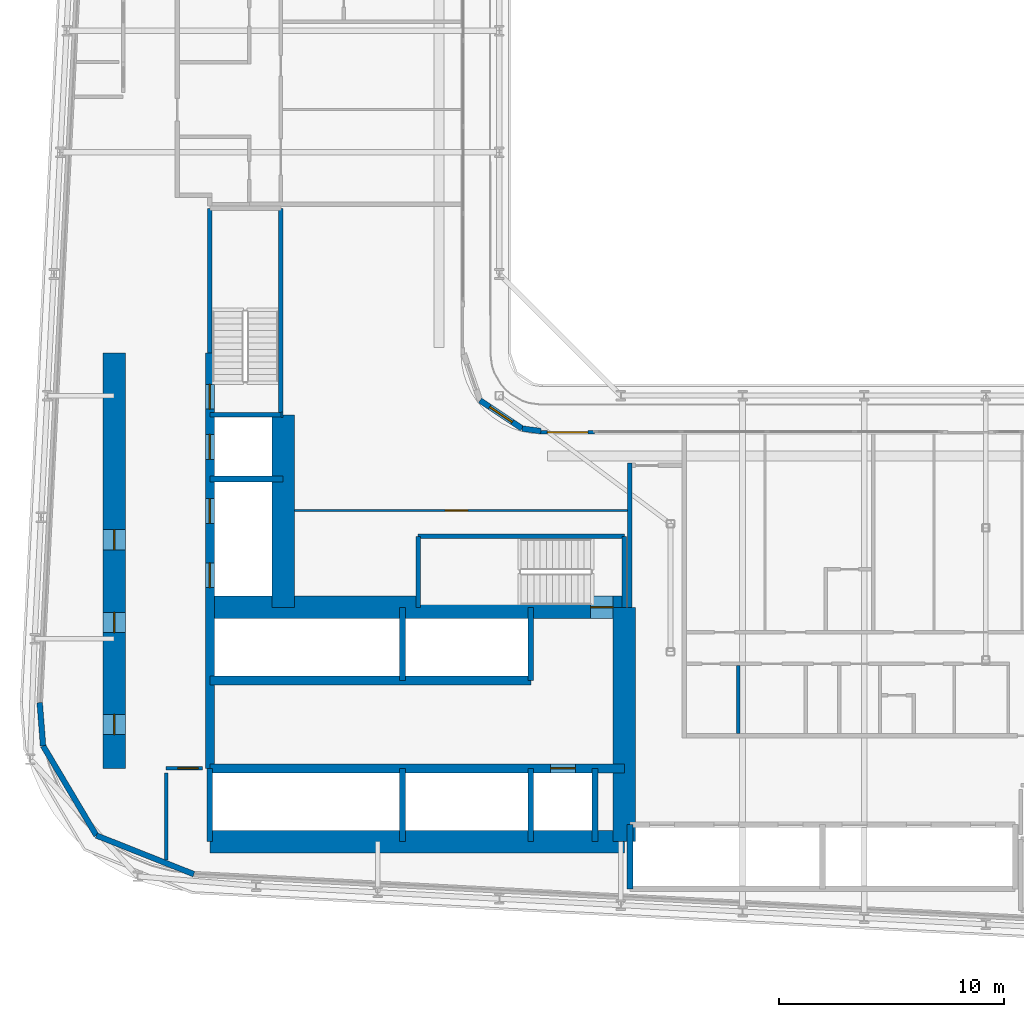
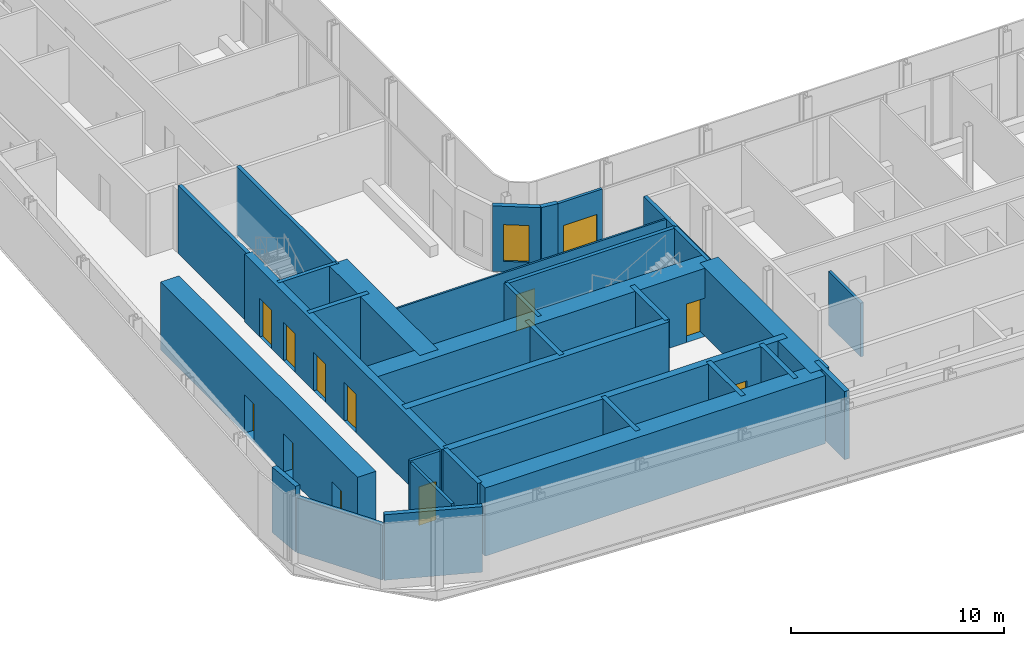
# One storey, part 14 of 29: 34 walls, 12 doors, 1 window, 13 openings.
"""IFC4 building model written with IfcOpenShell, lengths in metres."""

import ifcopenshell
import ifcopenshell.guid

model = None  # the IFC model being written
_history = None  # IfcOwnerHistory: only IFC2X3 demands one
_inside = {}  # id of a spatial element -> (the spatial element, [elements in it])
_under = {}  # id of a project, library or spatial element -> (it, [spatial elements below it])
_declared = {}  # id of a project -> (the project, [libraries it declares])
_typed = {}  # id of a type object -> (the type object, [elements of that type])
_made_of = {}  # id of a material, layer set ... -> (it, [elements and type objects made of it])


def new_model(schema):
    """Start an empty IFC model of exactly this schema.

    Asked for "IFC4X3", IfcOpenShell would pick the latest addendum, in which some entities
    have other attributes; the version numbers below select the first issue.
    IFC2X3 requires an IfcOwnerHistory on every rooted entity: one is made here for all.
    """
    global model, _history
    if schema == "IFC4X3":
        model = ifcopenshell.file(schema_version=(4, 3, 0, 0))
    else:
        model = ifcopenshell.file(schema=schema)
    _inside.clear()
    _under.clear()
    _declared.clear()
    _typed.clear()
    _made_of.clear()
    _history = None
    if model.schema == "IFC2X3":
        org = make("IfcOrganization", Name="unknown")
        user = make(
            "IfcPersonAndOrganization",
            ThePerson=make("IfcPerson", FamilyName="unknown"),
            TheOrganization=org,
        )
        app = make(
            "IfcApplication",
            ApplicationDeveloper=org,
            Version="unknown",
            ApplicationFullName="unknown",
            ApplicationIdentifier="unknown",
        )
        _history = make(
            "IfcOwnerHistory",
            OwningUser=user,
            OwningApplication=app,
            ChangeAction="ADDED",
            CreationDate=0,
        )
    return model


def make(cls, **values):
    """One entity of the class cls with the attributes given. An attribute that is None is left unset."""
    return model.create_entity(
        cls, **{name: value for name, value in values.items() if value is not None}
    )


def rooted(cls, **values):
    """An entity with a GlobalId (a new one), such as an element, a storey or a relation."""
    return make(cls, GlobalId=ifcopenshell.guid.new(), OwnerHistory=_history, **values)


def si_unit(unit_type, name, prefix=None):
    """IfcSIUnit, for example si_unit("LENGTHUNIT", "METRE", prefix="MILLI")."""
    return make("IfcSIUnit", UnitType=unit_type, Prefix=prefix, Name=name)


def assignment(units):
    """IfcUnitAssignment: the units of a project."""
    return None if units is None else make("IfcUnitAssignment", Units=units)


def point(xyz):
    """IfcCartesianPoint."""
    return None if xyz is None else make("IfcCartesianPoint", Coordinates=xyz)


def direction(xyz):
    """IfcDirection."""
    return None if xyz is None else make("IfcDirection", DirectionRatios=xyz)


def frame(location, z_axis=None, x_axis=None):
    """IfcAxis2Placement3D, a coordinate frame: its origin and axes. An axis left out is left unset."""
    return make(
        "IfcAxis2Placement3D",
        Location=point(location),
        Axis=direction(z_axis),
        RefDirection=direction(x_axis),
    )


def frame_2d(location, x_axis=None):
    """IfcAxis2Placement2D, a coordinate frame in the plane: its origin and x axis."""
    return make(
        "IfcAxis2Placement2D", Location=point(location), RefDirection=direction(x_axis)
    )


def origin():
    """The frame at (0, 0, 0) with its axes left unset."""
    return frame((0.0, 0.0, 0.0))


def place(relative_to, where):
    """IfcLocalPlacement: puts the frame where relative to a parent placement (None: the world)."""
    return make(
        "IfcLocalPlacement", PlacementRelTo=relative_to, RelativePlacement=where
    )


def context(
    kind, dimensions, precision=None, world=None, true_north=None, identifier=None
):
    """IfcGeometricRepresentationContext, for example the 3D "Model" context."""
    return make(
        "IfcGeometricRepresentationContext",
        ContextIdentifier=identifier,
        ContextType=kind,
        CoordinateSpaceDimension=dimensions,
        Precision=precision,
        WorldCoordinateSystem=world,
        TrueNorth=true_north,
    )


def subcontext(parent, identifier, kind, view, scale=None):
    """IfcGeometricRepresentationSubContext, for example "Body" below "Model"."""
    return make(
        "IfcGeometricRepresentationSubContext",
        ContextIdentifier=identifier,
        ContextType=kind,
        ParentContext=parent,
        TargetScale=scale,
        TargetView=view,
    )


def project(units=None, contexts=None):
    """IfcProject with its units and contexts."""
    return rooted(
        "IfcProject",
        Name="project",
        RepresentationContexts=contexts,
        UnitsInContext=assignment(units),
    )


def spatial(cls, under=None, at=None, **own):
    """A site, building, storey or space (cls), placed at a placement, below another one or the project."""
    s = rooted(cls, ObjectPlacement=at, **own)
    if under is not None:
        _under.setdefault(under.id(), (under, []))[1].append(s)
    return s


def profile(cls, at=None, kind="AREA", **sizes):
    """A parametric profile (cls). Its sizes go by their IFC names, for example OverallWidth=200.0."""
    return make(cls, ProfileType=kind, Position=at, **sizes)


def rectangle(**sizes):
    """IfcRectangleProfileDef."""
    return profile("IfcRectangleProfileDef", **sizes)


def extrude(swept, where, along, depth):
    """IfcExtrudedAreaSolid: the profile swept, set in the frame where, extruded along a direction by depth."""
    return make(
        "IfcExtrudedAreaSolid",
        SweptArea=swept,
        Position=where,
        ExtrudedDirection=direction(along),
        Depth=depth,
    )


def shape(context_of_items, identifier, shape_type, items):
    """IfcShapeRepresentation: the items that make up one representation, for example the "Body"."""
    return make(
        "IfcShapeRepresentation",
        ContextOfItems=context_of_items,
        RepresentationIdentifier=identifier,
        RepresentationType=shape_type,
        Items=items,
    )


def source(mapping_origin, context_of_items, identifier, shape_type, items):
    """IfcRepresentationMap: a shape defined once, which mapped items show again and again."""
    return make(
        "IfcRepresentationMap",
        MappingOrigin=mapping_origin,
        MappedRepresentation=shape(context_of_items, identifier, shape_type, items),
    )


def transform(
    local_origin,
    x_axis=None,
    y_axis=None,
    z_axis=None,
    scale=None,
    scale2=None,
    scale3=None,
    uniform=True,
):
    """IfcCartesianTransformationOperator3D, or its non-uniform kind. x_axis, y_axis, z_axis: its Axis1, 2, 3."""
    if uniform:
        return make(
            "IfcCartesianTransformationOperator3D",
            Axis1=direction(x_axis),
            Axis2=direction(y_axis),
            LocalOrigin=point(local_origin),
            Scale=scale,
            Axis3=direction(z_axis),
        )
    return make(
        "IfcCartesianTransformationOperator3DnonUniform",
        Axis1=direction(x_axis),
        Axis2=direction(y_axis),
        LocalOrigin=point(local_origin),
        Scale=scale,
        Axis3=direction(z_axis),
        Scale2=scale2,
        Scale3=scale3,
    )


def mapped(mapping_source, mapping_target):
    """IfcMappedItem: shows the shape of a source again, moved by a transform."""
    return make(
        "IfcMappedItem", MappingSource=mapping_source, MappingTarget=mapping_target
    )


def material(Name=None, Category=None):
    """IfcMaterial."""
    return make("IfcMaterial", Name=Name, Category=Category)


def layer(
    of_material, thickness, ventilated=None, Name=None, Category=None, Priority=None
):
    """IfcMaterialLayer: one layer of a wall or slab, of a material (None: an air gap)."""
    return make(
        "IfcMaterialLayer",
        Material=of_material,
        LayerThickness=thickness,
        IsVentilated=ventilated,
        Name=Name,
        Category=Category,
        Priority=Priority,
    )


def layer_set(layers, Name=None):
    """IfcMaterialLayerSet."""
    return make("IfcMaterialLayerSet", MaterialLayers=layers, LayerSetName=Name)


def made_of(thing, what):
    """Note that an element or type object is made of a material, layer set ...; save() writes the relation."""
    if what is not None:
        _made_of.setdefault(what.id(), (what, []))[1].append(thing)
    return thing


def type_object(cls, material=None, **own):
    """A type object (cls), such as IfcWallType, which elements share."""
    return made_of(rooted(cls, **own), material)


def element(
    cls,
    number,
    at=None,
    inside=None,
    cuts=None,
    type_object=None,
    material=None,
    context=None,
    identifier="Body",
    shape_type=None,
    held_by="IfcProductDefinitionShape",
    body=None,
    shapes=None,
    **own,
):
    """One element of the class cls, such as IfcWall. Its Tag is "e" and its number.

    at: its placement. inside: the storey or other place that contains it. cuts: it is an
    opening in that element (IfcRelVoidsElement). A single representation is given by context,
    identifier, shape_type and body (its items); several are given by shapes. held_by: the class
    of the entity that holds the representations. save() writes the other relations.
    """
    e = rooted(cls, Tag="e%d" % number, ObjectPlacement=at, **own)
    if body is not None:
        shapes = [shape(context, identifier, shape_type, body)]
    if shapes is not None:
        e.Representation = make(held_by, Representations=shapes)
    if inside is not None:
        _inside.setdefault(inside.id(), (inside, []))[1].append(e)
    if cuts is not None:
        rooted(
            "IfcRelVoidsElement", RelatingBuildingElement=cuts, RelatedOpeningElement=e
        )
    if type_object is not None:
        _typed.setdefault(type_object.id(), (type_object, []))[1].append(e)
    return made_of(e, material)


def fill(opening, filler):
    """IfcRelFillsElement: the door or window that sits in an opening."""
    return rooted(
        "IfcRelFillsElement",
        RelatingOpeningElement=opening,
        RelatedBuildingElement=filler,
    )


def aggregate(whole, parts):
    """IfcRelAggregates: a whole, such as a stair, and the parts it consists of."""
    return rooted("IfcRelAggregates", RelatingObject=whole, RelatedObjects=parts)


def save(model, path):
    """Write the relations noted so far, then the file.

    IfcRelAggregates (storeys below a building ...), IfcRelContainedInSpatialStructure (elements
    in a storey), IfcRelDefinesByType, IfcRelAssociatesMaterial and IfcRelDeclares: one each for
    every whole, place, type object, material and project.
    """
    for whole, parts in _under.values():
        aggregate(whole, parts)
    for where, things in _inside.values():
        rooted(
            "IfcRelContainedInSpatialStructure",
            RelatedElements=things,
            RelatingStructure=where,
        )
    for kind, things in _typed.values():
        rooted("IfcRelDefinesByType", RelatedObjects=things, RelatingType=kind)
    for what, things in _made_of.values():
        rooted("IfcRelAssociatesMaterial", RelatedObjects=things, RelatingMaterial=what)
    for by, libraries in _declared.values():
        rooted("IfcRelDeclares", RelatingContext=by, RelatedDefinitions=libraries)
    model.write(path)


model = new_model("IFC4")

# Units and contexts
model_context = context("Model", 3, precision=1e-05, world=origin(), true_north=direction((0.0, 1.0)))
body_context = subcontext(model_context, "Body", "Model", "MODEL_VIEW")
ifc_project = project(units=[si_unit("LENGTHUNIT", "METRE"), si_unit("AREAUNIT", "SQUARE_METRE"), si_unit("VOLUMEUNIT", "CUBIC_METRE"), si_unit("PLANEANGLEUNIT", "RADIAN"), si_unit("MASSUNIT", "GRAM", prefix="KILO")], contexts=[model_context])

# Site, building, storey
site_placement = place(None, origin())
site = spatial("IfcSite", under=ifc_project, at=site_placement, CompositionType="ELEMENT")
building_placement = place(site_placement, origin())
building = spatial("IfcBuilding", under=site, at=building_placement, Name="Kheshtan School and Residences Tower", CompositionType="ELEMENT")
storey_placement = place(building_placement, frame((0.0, 0.0, 61.699951171875)))
storey = spatial("IfcBuildingStorey", under=building, at=storey_placement, Name="L14", CompositionType="ELEMENT", Elevation=61.699951171875)

# Wall
ifc_material_1 = material(Name="Concrete C80/95", Category="concrete")
ifc_layer_1 = layer(ifc_material_1, 1.0)
ifc_layer_set_1 = layer_set([ifc_layer_1], Name="Core wall 1000 Concrete C80/95")
wall_type_1 = type_object("IfcWallType", Name="Core wall 1000 Concrete C80/95", PredefinedType="SHEAR", material=ifc_layer_set_1)
wall_1_placement = place(storey_placement, frame((34.75, 25.800048828125, 0.0), z_axis=(0.0, 0.0, 1.0), x_axis=(1.0, 0.0, 0.0)))
element("IfcWall", 1, at=wall_1_placement, inside=storey, type_object=wall_type_1, Name="Core wall CW-REAR-S", PredefinedType="SHEAR", context=body_context, shape_type="SweptSolid", body=[
    extrude(rectangle(XDim=18.39990234375, YDim=1.0, at=frame_2d((9.199951171875, 0.0))), origin(), (0.0, 0.0, 1.0), 3.900146484375),
])

# Wall, opening, door
wall_2_placement = place(storey_placement, frame((34.75, 36.199951171875, 0.0), z_axis=(0.0, 0.0, 1.0), x_axis=(1.0, 0.0, 0.0)))
wall_2 = element("IfcWall", 2, at=wall_2_placement, inside=storey, type_object=wall_type_1, Name="Core wall CW-FRONT-S", PredefinedType="SHEAR", context=body_context, shape_type="SweptSolid", body=[
    extrude(rectangle(XDim=18.39990234375, YDim=1.0, at=frame_2d((9.199951171875, 0.0))), origin(), (0.0, 0.0, 1.0), 3.900146484375),
])
opening_1_placement = place(wall_2_placement, frame((16.89990234375, 0.0, 0.0)))
opening_1 = element("IfcOpeningElement", 3, at=opening_1_placement, cuts=wall_2, Name="Opening ST1D", PredefinedType="OPENING", context=body_context, shape_type="SweptSolid", body=[
    extrude(rectangle(XDim=1.0, YDim=2.199951171875, at=frame_2d((0.5, 1.10009765625))), frame((0.0, 0.510009765625, 0.0), z_axis=(0.0, -1.0, 0.0), x_axis=(1.0, 0.0, 0.0)), (0.0, 0.0, 1.0), 1.02001953125),
])
ifc_material_2 = material(Name="Steel door leaf, galvanised", Category="steel")
door_type_1 = type_object("IfcDoorType", Name="Stair door 1100 steel 90 min", OperationType="SINGLE_SWING_LEFT", PredefinedType="DOOR", material=ifc_material_2)
shared_shape_1 = source(origin(), body_context, "Body", "SweptSolid", [
    extrude(rectangle(XDim=1.0, YDim=2.199951171875, at=frame_2d((0.5, 1.10009765625))), frame((0.0, 0.02490234375, 0.0), z_axis=(0.0, -1.0, 0.0), x_axis=(1.0, 0.0, 0.0)), (0.0, 0.0, 1.0), 0.050048828125),
])
door_1_placement = place(opening_1_placement, origin())
door_1 = element("IfcDoor", 4, at=door_1_placement, inside=storey, type_object=door_type_1, Name="Stair ST1 door", OperationType="SINGLE_SWING_RIGHT", OverallHeight=2.199951171875, OverallWidth=1.0, PredefinedType="DOOR", context=body_context, shape_type="MappedRepresentation", body=[
    mapped(shared_shape_1, transform((0.0, 0.0, 0.0), x_axis=(1.0, 0.0, 0.0), y_axis=(0.0, 1.0, 0.0), z_axis=(0.0, 0.0, 1.0), scale=1.0)),
])
fill(opening_1, door_1)

# Wall
wall_3_placement = place(storey_placement, frame((38.0, 36.199951171875, 0.0), z_axis=(0.0, 0.0, 1.0), x_axis=(0.0, 1.0, 0.0)))
element("IfcWall", 5, at=wall_3_placement, inside=storey, type_object=wall_type_1, Name="Core wall CW-FRONT-W", PredefinedType="SHEAR", context=body_context, shape_type="SweptSolid", body=[
    extrude(rectangle(XDim=8.550048828125, YDim=1.0, at=frame_2d((4.27490234375, 0.0))), origin(), (0.0, 0.0, 1.0), 3.900146484375),
])

# Wall, openings, doors
wall_4_placement = place(storey_placement, frame((30.5, 29.050048828125, 0.0), z_axis=(0.0, 0.0, 1.0), x_axis=(0.0, 1.0, 0.0)))
wall_4 = element("IfcWall", 6, at=wall_4_placement, inside=storey, type_object=wall_type_1, Name="Core wall CW-REAR-W", PredefinedType="SHEAR", context=body_context, shape_type="SweptSolid", body=[
    extrude(rectangle(XDim=18.449951171875, YDim=1.0, at=frame_2d((9.22509765625, 0.0))), origin(), (0.0, 0.0, 1.0), 3.900146484375),
])
opening_2_placement = place(wall_4_placement, frame((1.5, 0.0, 0.0)))
opening_2 = element("IfcOpeningElement", 7, at=opening_2_placement, cuts=wall_4, Name="Opening SR90", PredefinedType="OPENING", context=body_context, shape_type="SweptSolid", body=[
    extrude(rectangle(XDim=0.89990234375, YDim=2.199951171875, at=frame_2d((0.449951171875, 1.10009765625))), frame((0.0, 0.510009765625, 0.0), z_axis=(0.0, -1.0, 0.0), x_axis=(1.0, 0.0, 0.0)), (0.0, 0.0, 1.0), 1.02001953125),
])
opening_3_placement = place(wall_4_placement, frame((6.030029296875, 0.0, 0.0)))
opening_3 = element("IfcOpeningElement", 8, at=opening_3_placement, cuts=wall_4, Name="Opening SR90", PredefinedType="OPENING", context=body_context, shape_type="SweptSolid", body=[
    extrude(rectangle(XDim=0.89990234375, YDim=2.199951171875, at=frame_2d((0.449951171875, 1.10009765625))), frame((0.0, 0.510009765625, 0.0), z_axis=(0.0, -1.0, 0.0), x_axis=(1.0, 0.0, 0.0)), (0.0, 0.0, 1.0), 1.02001953125),
])
opening_4_placement = place(wall_4_placement, frame((9.699951171875, 0.0, 0.0)))
opening_4 = element("IfcOpeningElement", 9, at=opening_4_placement, cuts=wall_4, Name="Opening SR90", PredefinedType="OPENING", context=body_context, shape_type="SweptSolid", body=[
    extrude(rectangle(XDim=0.89990234375, YDim=2.199951171875, at=frame_2d((0.449951171875, 1.10009765625))), frame((0.0, 0.510009765625, 0.0), z_axis=(0.0, -1.0, 0.0), x_axis=(1.0, 0.0, 0.0)), (0.0, 0.0, 1.0), 1.02001953125),
])
door_type_2 = type_object("IfcDoorType", Name="Service room door 900 steel 90 min", OperationType="SINGLE_SWING_LEFT", PredefinedType="DOOR", material=ifc_material_2)
shared_shape_2 = source(origin(), body_context, "Body", "SweptSolid", [
    extrude(rectangle(XDim=0.89990234375, YDim=2.199951171875, at=frame_2d((0.449951171875, 1.10009765625))), frame((0.0, 0.02490234375, 0.0), z_axis=(0.0, -1.0, 0.0), x_axis=(1.0, 0.0, 0.0)), (0.0, 0.0, 1.0), 0.050048828125),
])
door_2_placement = place(opening_2_placement, origin())
door_2 = element("IfcDoor", 10, at=door_2_placement, inside=storey, type_object=door_type_2, Name="Service room door", OperationType="SINGLE_SWING_LEFT", OverallHeight=2.199951171875, OverallWidth=0.89990234375, PredefinedType="DOOR", context=body_context, shape_type="MappedRepresentation", body=[
    mapped(shared_shape_2, transform((0.0, 0.0, 0.0), x_axis=(1.0, 0.0, 0.0), y_axis=(0.0, 1.0, 0.0), z_axis=(0.0, 0.0, 1.0), scale=1.0)),
])
fill(opening_2, door_2)
door_3_placement = place(opening_3_placement, origin())
door_3 = element("IfcDoor", 11, at=door_3_placement, inside=storey, type_object=door_type_2, Name="Service room door", OperationType="SINGLE_SWING_RIGHT", OverallHeight=2.199951171875, OverallWidth=0.89990234375, PredefinedType="DOOR", context=body_context, shape_type="MappedRepresentation", body=[
    mapped(shared_shape_2, transform((0.0, 0.0, 0.0), x_axis=(1.0, 0.0, 0.0), y_axis=(0.0, 1.0, 0.0), z_axis=(0.0, 0.0, 1.0), scale=1.0)),
])
fill(opening_3, door_3)
door_4_placement = place(opening_4_placement, origin())
door_4 = element("IfcDoor", 12, at=door_4_placement, inside=storey, type_object=door_type_2, Name="Service room door", OperationType="SINGLE_SWING_LEFT", OverallHeight=2.199951171875, OverallWidth=0.89990234375, PredefinedType="DOOR", context=body_context, shape_type="MappedRepresentation", body=[
    mapped(shared_shape_2, transform((0.0, 0.0, 0.0), x_axis=(1.0, 0.0, 0.0), y_axis=(0.0, 1.0, 0.0), z_axis=(0.0, 0.0, 1.0), scale=1.0)),
])
fill(opening_4, door_4)

# Wall
wall_5_placement = place(storey_placement, frame((53.14990234375, 25.800048828125, 0.0), z_axis=(0.0, 0.0, 1.0), x_axis=(0.0, 1.0, 0.0)))
element("IfcWall", 13, at=wall_5_placement, inside=storey, type_object=wall_type_1, Name="Core wall CW-EAST", PredefinedType="SHEAR", context=body_context, shape_type="SweptSolid", body=[
    extrude(rectangle(XDim=10.39990234375, YDim=1.0, at=frame_2d((5.199951171875, 0.0))), origin(), (0.0, 0.0, 1.0), 3.900146484375),
])

# Wall, opening, door
ifc_material_3 = material(Name="Concrete C50/60", Category="concrete")
ifc_layer_2 = layer(ifc_material_3, 0.39990234375)
ifc_layer_set_2 = layer_set([ifc_layer_2], Name="Core wall 400 Concrete C50/60")
wall_type_2 = type_object("IfcWallType", Name="Core wall 400 Concrete C50/60", PredefinedType="SHEAR", material=ifc_layer_set_2)
wall_6_placement = place(storey_placement, frame((34.75, 29.050048828125, 0.0), z_axis=(0.0, 0.0, 1.0), x_axis=(1.0, 0.0, 0.0)))
wall_6 = element("IfcWall", 14, at=wall_6_placement, inside=storey, type_object=wall_type_2, Name="Core wall CW-HALL-S1", PredefinedType="SHEAR", context=body_context, shape_type="SweptSolid", body=[
    extrude(rectangle(XDim=18.39990234375, YDim=0.39990234375, at=frame_2d((9.199951171875, 0.0))), origin(), (0.0, 0.0, 1.0), 3.900146484375),
])
opening_5_placement = place(wall_6_placement, frame((15.125, 0.0, 0.0)))
opening_5 = element("IfcOpeningElement", 15, at=opening_5_placement, cuts=wall_6, Name="Opening LD", PredefinedType="OPENING", context=body_context, shape_type="SweptSolid", body=[
    extrude(rectangle(XDim=1.10009765625, YDim=2.199951171875, at=frame_2d((0.550048828125, 1.10009765625))), frame((0.0, 0.2099609375, 0.0), z_axis=(0.0, -1.0, 0.0), x_axis=(1.0, 0.0, 0.0)), (0.0, 0.0, 1.0), 0.419921875),
])
ifc_material_4 = material(Name="Stainless steel door leaves", Category="steel")
door_type_3 = type_object("IfcDoorType", Name="Lift landing door 1100", OperationType="SLIDING_TO_LEFT", PredefinedType="DOOR", material=ifc_material_4)
shared_shape_3 = source(origin(), body_context, "Body", "SweptSolid", [
    extrude(rectangle(XDim=1.10009765625, YDim=2.199951171875, at=frame_2d((0.550048828125, 1.10009765625))), frame((0.0, 0.02490234375, 0.0), z_axis=(0.0, -1.0, 0.0), x_axis=(1.0, 0.0, 0.0)), (0.0, 0.0, 1.0), 0.050048828125),
])
door_5_placement = place(opening_5_placement, origin())
door_5 = element("IfcDoor", 16, at=door_5_placement, inside=storey, type_object=door_type_3, Name="Lift FFL2 landing door", OperationType="SLIDING_TO_LEFT", OverallHeight=2.199951171875, OverallWidth=1.10009765625, PredefinedType="DOOR", context=body_context, shape_type="MappedRepresentation", body=[
    mapped(shared_shape_3, transform((0.0, 0.0, 0.0), x_axis=(1.0, 0.0, 0.0), y_axis=(0.0, 1.0, 0.0), z_axis=(0.0, 0.0, 1.0), scale=1.0)),
])
fill(opening_5, door_5)

# Wall
wall_7_placement = place(storey_placement, frame((34.75, 32.949951171875, 0.0), z_axis=(0.0, 0.0, 1.0), x_axis=(1.0, 0.0, 0.0)))
element("IfcWall", 17, at=wall_7_placement, inside=storey, type_object=wall_type_2, Name="Core wall CW-HALL-S2", PredefinedType="SHEAR", context=body_context, shape_type="SweptSolid", body=[
    extrude(rectangle(XDim=14.25, YDim=0.39990234375, at=frame_2d((7.125, 0.0))), origin(), (0.0, 0.0, 1.0), 3.900146484375),
])

# Wall, openings, doors
wall_8_placement = place(storey_placement, frame((34.75, 29.050048828125, 0.0), z_axis=(0.0, 0.0, 1.0), x_axis=(0.0, 1.0, 0.0)))
wall_8 = element("IfcWall", 18, at=wall_8_placement, inside=storey, type_object=wall_type_2, Name="Core wall CW-HALL-W1", PredefinedType="SHEAR", context=body_context, shape_type="SweptSolid", body=[
    extrude(rectangle(XDim=18.449951171875, YDim=0.39990234375, at=frame_2d((9.22509765625, 0.0))), origin(), (0.0, 0.0, 1.0), 3.900146484375),
])
opening_6_placement = place(wall_8_placement, frame((8.02490234375, 0.0, 0.0)))
opening_6 = element("IfcOpeningElement", 19, at=opening_6_placement, cuts=wall_8, Name="Opening LD", PredefinedType="OPENING", context=body_context, shape_type="SweptSolid", body=[
    extrude(rectangle(XDim=1.10009765625, YDim=2.199951171875, at=frame_2d((0.550048828125, 1.10009765625))), frame((0.0, 0.2099609375, 0.0), z_axis=(0.0, -1.0, 0.0), x_axis=(1.0, 0.0, 0.0)), (0.0, 0.0, 1.0), 0.419921875),
])
opening_7_placement = place(wall_8_placement, frame((10.875, 0.0, 0.0)))
opening_7 = element("IfcOpeningElement", 20, at=opening_7_placement, cuts=wall_8, Name="Opening LD", PredefinedType="OPENING", context=body_context, shape_type="SweptSolid", body=[
    extrude(rectangle(XDim=1.10009765625, YDim=2.199951171875, at=frame_2d((0.550048828125, 1.10009765625))), frame((0.0, 0.2099609375, 0.0), z_axis=(0.0, -1.0, 0.0), x_axis=(1.0, 0.0, 0.0)), (0.0, 0.0, 1.0), 0.419921875),
])
opening_8_placement = place(wall_8_placement, frame((13.72509765625, 0.0, 0.0)))
opening_8 = element("IfcOpeningElement", 21, at=opening_8_placement, cuts=wall_8, Name="Opening LD", PredefinedType="OPENING", context=body_context, shape_type="SweptSolid", body=[
    extrude(rectangle(XDim=1.10009765625, YDim=2.199951171875, at=frame_2d((0.550048828125, 1.10009765625))), frame((0.0, 0.2099609375, 0.0), z_axis=(0.0, -1.0, 0.0), x_axis=(1.0, 0.0, 0.0)), (0.0, 0.0, 1.0), 0.419921875),
])
opening_9_placement = place(wall_8_placement, frame((15.949951171875, 0.0, 0.0)))
opening_9 = element("IfcOpeningElement", 22, at=opening_9_placement, cuts=wall_8, Name="Opening ST2D", PredefinedType="OPENING", context=body_context, shape_type="SweptSolid", body=[
    extrude(rectangle(XDim=1.10009765625, YDim=2.199951171875, at=frame_2d((0.550048828125, 1.10009765625))), frame((0.0, 0.2099609375, 0.0), z_axis=(0.0, -1.0, 0.0), x_axis=(1.0, 0.0, 0.0)), (0.0, 0.0, 1.0), 0.419921875),
])
door_6_placement = place(opening_6_placement, origin())
door_6 = element("IfcDoor", 23, at=door_6_placement, inside=storey, type_object=door_type_3, Name="Lift SV1 landing door", OperationType="SLIDING_TO_LEFT", OverallHeight=2.199951171875, OverallWidth=1.10009765625, PredefinedType="DOOR", context=body_context, shape_type="MappedRepresentation", body=[
    mapped(shared_shape_3, transform((0.0, 0.0, 0.0), x_axis=(1.0, 0.0, 0.0), y_axis=(0.0, 1.0, 0.0), z_axis=(0.0, 0.0, 1.0), scale=1.0)),
])
fill(opening_6, door_6)
door_7_placement = place(opening_7_placement, origin())
door_7 = element("IfcDoor", 24, at=door_7_placement, inside=storey, type_object=door_type_3, Name="Lift SV2 landing door", OperationType="SLIDING_TO_LEFT", OverallHeight=2.199951171875, OverallWidth=1.10009765625, PredefinedType="DOOR", context=body_context, shape_type="MappedRepresentation", body=[
    mapped(shared_shape_3, transform((0.0, 0.0, 0.0), x_axis=(1.0, 0.0, 0.0), y_axis=(0.0, 1.0, 0.0), z_axis=(0.0, 0.0, 1.0), scale=1.0)),
])
fill(opening_7, door_7)
door_8_placement = place(opening_8_placement, origin())
door_8 = element("IfcDoor", 25, at=door_8_placement, inside=storey, type_object=door_type_3, Name="Lift FFL1 landing door", OperationType="SLIDING_TO_LEFT", OverallHeight=2.199951171875, OverallWidth=1.10009765625, PredefinedType="DOOR", context=body_context, shape_type="MappedRepresentation", body=[
    mapped(shared_shape_3, transform((0.0, 0.0, 0.0), x_axis=(1.0, 0.0, 0.0), y_axis=(0.0, 1.0, 0.0), z_axis=(0.0, 0.0, 1.0), scale=1.0)),
])
fill(opening_8, door_8)
shared_shape_4 = source(origin(), body_context, "Body", "SweptSolid", [
    extrude(rectangle(XDim=1.10009765625, YDim=2.199951171875, at=frame_2d((0.550048828125, 1.10009765625))), frame((0.0, 0.02490234375, 0.0), z_axis=(0.0, -1.0, 0.0), x_axis=(1.0, 0.0, 0.0)), (0.0, 0.0, 1.0), 0.050048828125),
])
door_9_placement = place(opening_9_placement, origin())
door_9 = element("IfcDoor", 26, at=door_9_placement, inside=storey, type_object=door_type_1, Name="Stair ST2 door", OperationType="SINGLE_SWING_RIGHT", OverallHeight=2.199951171875, OverallWidth=1.10009765625, PredefinedType="DOOR", context=body_context, shape_type="MappedRepresentation", body=[
    mapped(shared_shape_4, transform((0.0, 0.0, 0.0), x_axis=(1.0, 0.0, 0.0), y_axis=(0.0, 1.0, 0.0), z_axis=(0.0, 0.0, 1.0), scale=1.0)),
])
fill(opening_9, door_9)

# Walls
ifc_material_5 = material(Name="Gypsum board on steel studs with fire boards", Category="steel")
ifc_layer_3 = layer(ifc_material_5, 0.199951171875)
ifc_layer_set_3 = layer_set([ifc_layer_3], Name="Corridor wall 200")
wall_type_3 = type_object("IfcWallType", Name="Corridor wall 200", PredefinedType="PARTITIONING", material=ifc_layer_set_3)
wall_9_placement = place(storey_placement, frame((53.39990234375, 36.198974609375, 0.0), z_axis=(0.0, 0.0, 1.0), x_axis=(0.0, 1.0, 0.0)))
element("IfcWall", 27, at=wall_9_placement, inside=storey, type_object=wall_type_3, Name="Partition L14-038", PredefinedType="PARTITIONING", context=body_context, shape_type="SweptSolid", body=[
    extrude(rectangle(XDim=6.401123046875, YDim=0.199951171875, at=frame_2d((3.20068359375, 0.0))), origin(), (0.0, 0.0, 1.0), 3.60009765625),
])
ifc_material_6 = material(Name="Concrete C40/50 with ceramic cladding and mineral wool insulation", Category="concrete")
ifc_layer_4 = layer(ifc_material_6, 0.25)
ifc_layer_set_4 = layer_set([ifc_layer_4], Name="External wall 250 ceramic clad")
wall_type_4 = type_object("IfcWallType", Name="External wall 250 ceramic clad", PredefinedType="SOLIDWALL", material=ifc_layer_set_4)
wall_10_placement = place(storey_placement, frame((34.0390625, 24.35302734375, 0.0), z_axis=(0.0, 0.0, 1.0), x_axis=(-0.929352825399, 0.369192803184, 0.0)))
element("IfcWall", 28, at=wall_10_placement, inside=storey, type_object=wall_type_4, Name="External wall L14 1", PredefinedType="SOLIDWALL", context=body_context, shape_type="SweptSolid", body=[
    extrude(rectangle(XDim=4.656005859375, YDim=0.25, at=frame_2d((2.328125, 0.0))), origin(), (0.0, 0.0, 1.0), 3.75),
])
wall_11_placement = place(storey_placement, frame((29.7119140625, 26.072021484375, 0.0), z_axis=(0.0, 0.0, 1.0), x_axis=(-0.511028049012, 0.859564036662, 0.0)))
element("IfcWall", 29, at=wall_11_placement, inside=storey, type_object=wall_type_4, Name="External wall L14 2", PredefinedType="SOLIDWALL", context=body_context, shape_type="SweptSolid", body=[
    extrude(rectangle(XDim=4.633544921875, YDim=0.25, at=frame_2d((2.31689453125, 0.0))), origin(), (0.0, 0.0, 1.0), 3.133056640625),
])
wall_12_placement = place(storey_placement, frame((27.343994140625, 30.054931640625, 0.0), z_axis=(0.0, 0.0, 1.0), x_axis=(-0.077571675317, 0.99698677784, 0.0)))
element("IfcWall", 30, at=wall_12_placement, inside=storey, type_object=wall_type_4, Name="External wall L14 3", PredefinedType="SOLIDWALL", context=body_context, shape_type="SweptSolid", body=[
    extrude(rectangle(XDim=1.919921875, YDim=0.25, at=frame_2d((0.9599609375, 0.0))), origin(), (0.0, 0.0, 1.0), 3.75),
])

# Wall, opening, window
wall_13_placement = place(storey_placement, frame((46.742919921875, 45.388916015625, 0.0), z_axis=(0.0, 0.0, 1.0), x_axis=(0.831449265529, -0.555600682912, 0.0)))
wall_13 = element("IfcWall", 31, at=wall_13_placement, inside=storey, type_object=wall_type_4, Name="External wall L14 10", PredefinedType="SOLIDWALL", context=body_context, shape_type="SweptSolid", body=[
    extrude(rectangle(XDim=2.25146484375, YDim=0.25, at=frame_2d((1.125732421875, 0.0))), origin(), (0.0, 0.0, 1.0), 3.75),
])
opening_10_placement = place(wall_13_placement, frame((0.52490234375, 0.0, 0.60009765625)))
opening_10 = element("IfcOpeningElement", 32, at=opening_10_placement, cuts=wall_13, Name="Opening WN-E", PredefinedType="OPENING", context=body_context, shape_type="SweptSolid", body=[
    extrude(rectangle(XDim=1.199951171875, YDim=2.10009765625, at=frame_2d((0.60009765625, 1.050048828125))), frame((0.0, 0.135009765625, 0.0), z_axis=(0.0, -1.0, 0.0), x_axis=(1.0, 0.0, 0.0)), (0.0, 0.0, 1.0), 0.27001953125),
])
ifc_material_7 = material(Name="Clear low-e glass in thermally broken aluminium frame", Category="aluminium")
window_type = type_object("IfcWindowType", Name="Window WN-E", PartitioningType="SINGLE_PANEL", PredefinedType="WINDOW", material=ifc_material_7)
shared_shape_5 = source(origin(), body_context, "Body", "SweptSolid", [
    extrude(rectangle(XDim=1.199951171875, YDim=2.10009765625, at=frame_2d((0.60009765625, 1.050048828125))), frame((0.0, 0.030029296875, 0.0), z_axis=(0.0, -1.0, 0.0), x_axis=(1.0, 0.0, 0.0)), (0.0, 0.0, 1.0), 0.06005859375),
])
window_placement = place(opening_10_placement, origin())
window = element("IfcWindow", 33, at=window_placement, inside=storey, type_object=window_type, Name="Window L14 10", OverallHeight=2.10009765625, OverallWidth=1.199951171875, PartitioningType="SINGLE_PANEL", PredefinedType="WINDOW", context=body_context, shape_type="MappedRepresentation", body=[
    mapped(shared_shape_5, transform((0.0, 0.0, 0.0), x_axis=(1.0, 0.0, 0.0), y_axis=(0.0, 1.0, 0.0), z_axis=(0.0, 0.0, 1.0), scale=1.0)),
])
fill(opening_10, window)

# Wall
wall_14_placement = place(storey_placement, frame((48.614990234375, 44.137939453125, 0.0), z_axis=(0.0, 0.0, 1.0), x_axis=(0.990741504246, -0.135761819977, 0.0)))
element("IfcWall", 34, at=wall_14_placement, inside=storey, type_object=wall_type_4, Name="External wall L14 11", PredefinedType="SOLIDWALL", context=body_context, shape_type="SweptSolid", body=[
    extrude(rectangle(XDim=0.83984375, YDim=0.25, at=frame_2d((0.419921875, 0.0))), origin(), (0.0, 0.0, 1.0), 3.75),
])

# Wall, opening, door
ifc_material_8 = material(Name="Aluminium frame wall with insulated infill", Category="aluminium")
ifc_layer_5 = layer(ifc_material_8, 0.14990234375)
ifc_layer_set_5 = layer_set([ifc_layer_5], Name="Glazing frame wall 150")
wall_type_5 = type_object("IfcWallType", Name="Glazing frame wall 150", PredefinedType="SOLIDWALL", material=ifc_layer_set_5)
wall_15_placement = place(storey_placement, frame((49.429931640625, 43.97509765625, 0.0), z_axis=(0.0, 0.0, 1.0), x_axis=(1.0, 0.0, 0.0)))
wall_15 = element("IfcWall", 35, at=wall_15_placement, inside=storey, type_object=wall_type_5, Name="Balcony door wall L14 12.1", PredefinedType="SOLIDWALL", context=body_context, shape_type="SweptSolid", body=[
    extrude(rectangle(XDim=2.400146484375, YDim=0.14990234375, at=frame_2d((1.2001953125, 0.0))), origin(), (0.0, 0.0, 1.0), 3.75),
])
opening_11_placement = place(wall_15_placement, frame((0.300048828125, 0.0, 0.0)))
opening_11 = element("IfcOpeningElement", 36, at=opening_11_placement, cuts=wall_15, Name="Opening BD", PredefinedType="OPENING", context=body_context, shape_type="SweptSolid", body=[
    extrude(rectangle(XDim=1.800048828125, YDim=2.39990234375, at=frame_2d((0.89990234375, 1.199951171875))), frame((0.0, 0.0849609375, 0.0), z_axis=(0.0, -1.0, 0.0), x_axis=(1.0, 0.0, 0.0)), (0.0, 0.0, 1.0), 0.169921875),
])
door_type_4 = type_object("IfcDoorType", Name="Balcony sliding door", OperationType="SLIDING_TO_LEFT", PredefinedType="DOOR", material=ifc_material_7)
shared_shape_6 = source(origin(), body_context, "Body", "SweptSolid", [
    extrude(rectangle(XDim=1.800048828125, YDim=2.39990234375, at=frame_2d((0.89990234375, 1.199951171875))), frame((0.0, 0.02490234375, 0.0), z_axis=(0.0, -1.0, 0.0), x_axis=(1.0, 0.0, 0.0)), (0.0, 0.0, 1.0), 0.050048828125),
])
door_10_placement = place(opening_11_placement, origin())
door_10 = element("IfcDoor", 37, at=door_10_placement, inside=storey, type_object=door_type_4, Name="Balcony door L14 12.1", OperationType="SLIDING_TO_LEFT", OverallHeight=2.39990234375, OverallWidth=1.800048828125, PredefinedType="DOOR", context=body_context, shape_type="MappedRepresentation", body=[
    mapped(shared_shape_6, transform((0.0, 0.0, 0.0), x_axis=(1.0, 0.0, 0.0), y_axis=(0.0, 1.0, 0.0), z_axis=(0.0, 0.0, 1.0), scale=1.0)),
])
fill(opening_11, door_10)

ifc_material_9 = material(Name="Gypsum board on steel studs", Category="steel")
ifc_layer_6 = layer(ifc_material_9, 0.10009765625)
ifc_layer_set_6 = layer_set([ifc_layer_6], Name="Gypsum partition 100")
wall_type_6 = type_object("IfcWallType", Name="Gypsum partition 100", PredefinedType="PARTITIONING", material=ifc_layer_set_6)
wall_16_placement = place(storey_placement, frame((38.4990234375, 40.5, 0.0), z_axis=(0.0, 0.0, 1.0), x_axis=(1.0, 0.0, 0.0)))
wall_16 = element("IfcWall", 38, at=wall_16_placement, inside=storey, type_object=wall_type_6, Name="Partition L14-036", PredefinedType="PARTITIONING", context=body_context, shape_type="SweptSolid", body=[
    extrude(rectangle(XDim=14.801025390625, YDim=0.10009765625, at=frame_2d((7.400390625, 0.0))), origin(), (0.0, 0.0, 1.0), 3.60009765625),
])
opening_12_placement = place(wall_16_placement, frame((6.700927734375, 0.0, 0.0)))
opening_12 = element("IfcOpeningElement", 39, at=opening_12_placement, cuts=wall_16, Name="Opening D14-057", PredefinedType="OPENING", context=body_context, shape_type="SweptSolid", body=[
    extrude(rectangle(XDim=1.0, YDim=2.10009765625, at=frame_2d((0.5, 1.050048828125))), frame((0.0, 0.06005859375, 0.0), z_axis=(0.0, -1.0, 0.0), x_axis=(1.0, 0.0, 0.0)), (0.0, 0.0, 1.0), 0.1201171875),
])
ifc_material_10 = material(Name="Veneered timber door leaf", Category="wood")
door_type_5 = type_object("IfcDoorType", Name="Door 1000 x 2100", OperationType="SINGLE_SWING_LEFT", PredefinedType="DOOR", material=ifc_material_10)
shared_shape_7 = source(origin(), body_context, "Body", "SweptSolid", [
    extrude(rectangle(XDim=1.0, YDim=2.10009765625, at=frame_2d((0.5, 1.050048828125))), frame((0.0, 0.02490234375, 0.0), z_axis=(0.0, -1.0, 0.0), x_axis=(1.0, 0.0, 0.0)), (0.0, 0.0, 1.0), 0.050048828125),
])
door_11_placement = place(opening_12_placement, origin())
door_11 = element("IfcDoor", 40, at=door_11_placement, inside=storey, type_object=door_type_5, Name="Door D14-057", OperationType="SINGLE_SWING_RIGHT", OverallHeight=2.10009765625, OverallWidth=1.0, PredefinedType="DOOR", context=body_context, shape_type="MappedRepresentation", body=[
    mapped(shared_shape_7, transform((0.0, 0.0, 0.0), x_axis=(1.0, 0.0, 0.0), y_axis=(0.0, 1.0, 0.0), z_axis=(0.0, 0.0, 1.0), scale=1.0)),
])
fill(opening_12, door_11)

ifc_material_11 = material(Name="Fire-board shaft wall system")
ifc_layer_7 = layer(ifc_material_11, 0.14990234375)
ifc_layer_set_7 = layer_set([ifc_layer_7], Name="Service room wall 150")
wall_type_7 = type_object("IfcWallType", Name="Service room wall 150", PredefinedType="PARTITIONING", material=ifc_layer_set_7)
wall_17_placement = place(storey_placement, frame((32.804931640625, 29.050048828125, 0.0), z_axis=(0.0, 0.0, 1.0), x_axis=(1.0, 0.0, 0.0)))
wall_17 = element("IfcWall", 41, at=wall_17_placement, inside=storey, type_object=wall_type_7, Name="Service room wall", PredefinedType="PARTITIONING", context=body_context, shape_type="SweptSolid", body=[
    extrude(rectangle(XDim=1.625, YDim=0.14990234375, at=frame_2d((0.8125, 0.0))), origin(), (0.0, 0.0, 1.0), 3.900146484375),
])
opening_13_placement = place(wall_17_placement, frame((0.52294921875, 0.0, 0.0)))
opening_13 = element("IfcOpeningElement", 42, at=opening_13_placement, cuts=wall_17, Name="Opening SR90", PredefinedType="OPENING", context=body_context, shape_type="SweptSolid", body=[
    extrude(rectangle(XDim=0.89990234375, YDim=2.199951171875, at=frame_2d((0.449951171875, 1.10009765625))), frame((0.0, 0.0849609375, 0.0), z_axis=(0.0, -1.0, 0.0), x_axis=(1.0, 0.0, 0.0)), (0.0, 0.0, 1.0), 0.169921875),
])
door_12_placement = place(opening_13_placement, origin())
door_12 = element("IfcDoor", 43, at=door_12_placement, inside=storey, type_object=door_type_2, Name="Service room door", OperationType="SINGLE_SWING_LEFT", OverallHeight=2.199951171875, OverallWidth=0.89990234375, PredefinedType="DOOR", context=body_context, shape_type="MappedRepresentation", body=[
    mapped(shared_shape_2, transform((0.0, 0.0, 0.0), x_axis=(1.0, 0.0, 0.0), y_axis=(0.0, 1.0, 0.0), z_axis=(0.0, 0.0, 1.0), scale=1.0)),
])
fill(opening_13, door_12)

# Walls
wall_18_placement = place(storey_placement, frame((32.804931640625, 24.97998046875, 0.0), z_axis=(0.0, 0.0, 1.0), x_axis=(0.0, 1.0, 0.0)))
element("IfcWall", 44, at=wall_18_placement, inside=storey, type_object=wall_type_7, Name="Service room wall", PredefinedType="PARTITIONING", context=body_context, shape_type="SweptSolid", body=[
    extrude(rectangle(XDim=3.875, YDim=0.14990234375, at=frame_2d((1.9375, 0.0))), origin(), (0.0, 0.0, 1.0), 3.900146484375),
])
ifc_layer_8 = layer(ifc_material_11, 0.25)
ifc_layer_set_8 = layer_set([ifc_layer_8], Name="Shaft lining wall 250")
wall_type_8 = type_object("IfcWallType", Name="Shaft lining wall 250", PredefinedType="PARTITIONING", material=ifc_layer_set_8)
for number, where, z_axis, x_axis, name in (
    (45, (34.75, 25.800048828125, 0.0), (0.0, 0.0, 1.0), (0.0, 1.0, 0.0), "Shaft lining wall"),
    (46, (43.300048828125, 25.800048828125, 0.0), (0.0, 0.0, 1.0), (0.0, 1.0, 0.0), "Shaft lining wall"),
    (47, (43.300048828125, 32.949951171875, 0.0), (0.0, 0.0, 1.0), (0.0, 1.0, 0.0), "Shaft lining wall"),
    (48, (49.0, 25.800048828125, 0.0), (0.0, 0.0, 1.0), (0.0, 1.0, 0.0), "Shaft lining wall"),
    (49, (49.0, 32.949951171875, 0.0), (0.0, 0.0, 1.0), (0.0, 1.0, 0.0), "Shaft lining wall"),
    (50, (51.85009765625, 25.800048828125, 0.0), (0.0, 0.0, 1.0), (0.0, 1.0, 0.0), "Shaft lining wall"),
):
    element("IfcWall", number, at=place(storey_placement, frame(where, z_axis=z_axis, x_axis=x_axis)), inside=storey, type_object=wall_type_8, Name=name, PredefinedType="PARTITIONING", context=body_context, shape_type="SweptSolid", body=[
        extrude(rectangle(XDim=3.25, YDim=0.25, at=frame_2d((1.625, 0.0))), origin(), (0.0, 0.0, 1.0), 3.900146484375),
    ])
wall_19_placement = place(storey_placement, frame((53.39990234375, 23.699951171875, 0.0), z_axis=(0.0, 0.0, 1.0), x_axis=(0.0, 1.0, 0.0)))
element("IfcWall", 51, at=wall_19_placement, inside=storey, type_object=wall_type_8, Name="Shaft lining wall", PredefinedType="PARTITIONING", context=body_context, shape_type="SweptSolid", body=[
    extrude(rectangle(XDim=2.85009765625, YDim=0.25, at=frame_2d((1.425048828125, 0.0))), origin(), (0.0, 0.0, 1.0), 3.900146484375),
])
wall_20_placement = place(storey_placement, frame((34.75, 41.89990234375, 0.0), z_axis=(0.0, 0.0, 1.0), x_axis=(1.0, 0.0, 0.0)))
element("IfcWall", 52, at=wall_20_placement, inside=storey, type_object=wall_type_8, Name="Shaft lining wall", PredefinedType="PARTITIONING", context=body_context, shape_type="SweptSolid", body=[
    extrude(rectangle(XDim=3.25, YDim=0.25, at=frame_2d((1.625, 0.0))), origin(), (0.0, 0.0, 1.0), 3.900146484375),
])
wall_21_placement = place(storey_placement, frame((37.89990234375, 44.75, 0.0), z_axis=(0.0, 0.0, 1.0), x_axis=(1.0, 0.0, 0.0)))
element("IfcWall", 53, at=wall_21_placement, inside=storey, type_object=wall_type_8, Name="Shaft lining wall", PredefinedType="PARTITIONING", context=body_context, shape_type="SweptSolid", body=[
    extrude(rectangle(XDim=0.10009765625, YDim=0.25, at=frame_2d((0.050048828125, 0.0))), origin(), (0.0, 0.0, 1.0), 3.900146484375),
])
ifc_material_12 = material(Name="Concrete C40/50", Category="concrete")
ifc_layer_9 = layer(ifc_material_12, 0.199951171875)
ifc_layer_set_9 = layer_set([ifc_layer_9], Name="Stair enclosure wall 200 Concrete C40/50")
wall_type_9 = type_object("IfcWallType", Name="Stair enclosure wall 200 Concrete C40/50", PredefinedType="SHEAR", material=ifc_layer_set_9)
wall_22_placement = place(storey_placement, frame((43.989990234375, 39.35009765625, 0.0), z_axis=(0.0, 0.0, 1.0), x_axis=(1.0, 0.0, 0.0)))
element("IfcWall", 54, at=wall_22_placement, inside=storey, type_object=wall_type_9, Name="Stair enclosure wall ST1", PredefinedType="SHEAR", context=body_context, shape_type="SweptSolid", body=[
    extrude(rectangle(XDim=9.159912109375, YDim=0.199951171875, at=frame_2d((4.580078125, 0.0))), origin(), (0.0, 0.0, 1.0), 3.900146484375),
])
for number, where, z_axis, x_axis, name in (
    (55, (43.989990234375, 36.199951171875, 0.0), (0.0, 0.0, 1.0), (0.0, 1.0, 0.0), "Stair enclosure wall ST1"),
    (56, (53.14990234375, 36.199951171875, 0.0), (0.0, 0.0, 1.0), (0.0, 1.0, 0.0), "Stair enclosure wall ST1"),
):
    element("IfcWall", number, at=place(storey_placement, frame(where, z_axis=z_axis, x_axis=x_axis)), inside=storey, type_object=wall_type_9, Name=name, PredefinedType="SHEAR", context=body_context, shape_type="SweptSolid", body=[
        extrude(rectangle(XDim=3.150146484375, YDim=0.199951171875, at=frame_2d((1.5751953125, 0.0))), origin(), (0.0, 0.0, 1.0), 3.900146484375),
    ])
wall_23_placement = place(storey_placement, frame((34.75, 44.75, 0.0), z_axis=(0.0, 0.0, 1.0), x_axis=(1.0, 0.0, 0.0)))
element("IfcWall", 57, at=wall_23_placement, inside=storey, type_object=wall_type_9, Name="Stair enclosure wall ST2", PredefinedType="SHEAR", context=body_context, shape_type="SweptSolid", body=[
    extrude(rectangle(XDim=3.14990234375, YDim=0.199951171875, at=frame_2d((1.574951171875, 0.0))), origin(), (0.0, 0.0, 1.0), 3.900146484375),
])
wall_24_placement = place(storey_placement, frame((34.75, 47.5, 0.0), z_axis=(0.0, 0.0, 1.0), x_axis=(0.0, 1.0, 0.0)))
element("IfcWall", 58, at=wall_24_placement, inside=storey, type_object=wall_type_9, Name="Stair enclosure wall ST2", PredefinedType="SHEAR", context=body_context, shape_type="SweptSolid", body=[
    extrude(rectangle(XDim=6.409912109375, YDim=0.199951171875, at=frame_2d((3.205078125, 0.0))), origin(), (0.0, 0.0, 1.0), 3.900146484375),
])
wall_25_placement = place(storey_placement, frame((37.89990234375, 44.75, 0.0), z_axis=(0.0, 0.0, 1.0), x_axis=(0.0, 1.0, 0.0)))
element("IfcWall", 59, at=wall_25_placement, inside=storey, type_object=wall_type_9, Name="Stair enclosure wall ST2", PredefinedType="SHEAR", context=body_context, shape_type="SweptSolid", body=[
    extrude(rectangle(XDim=9.159912109375, YDim=0.199951171875, at=frame_2d((4.580078125, 0.0))), origin(), (0.0, 0.0, 1.0), 3.900146484375),
])
ifc_material_13 = material(Name="Moisture-resistant gypsum board on steel studs", Category="steel")
ifc_layer_10 = layer(ifc_material_13, 0.14990234375)
ifc_layer_set_10 = layer_set([ifc_layer_10], Name="Wet-room partition 150")
wall_type_10 = type_object("IfcWallType", Name="Wet-room partition 150", PredefinedType="PARTITIONING", material=ifc_layer_set_10)
wall_26_placement = place(storey_placement, frame((58.199951171875, 30.60009765625, 0.0), z_axis=(0.0, 0.0, 1.0), x_axis=(0.0, 1.0, 0.0)))
element("IfcWall", 60, at=wall_26_placement, inside=storey, type_object=wall_type_10, Name="Partition L14-044", PredefinedType="PARTITIONING", context=body_context, shape_type="SweptSolid", body=[
    extrude(rectangle(XDim=3.02490234375, YDim=0.14990234375, at=frame_2d((1.512451171875, 0.0))), origin(), (0.0, 0.0, 1.0), 3.072021484375),
])

save(model, "model.ifc")
